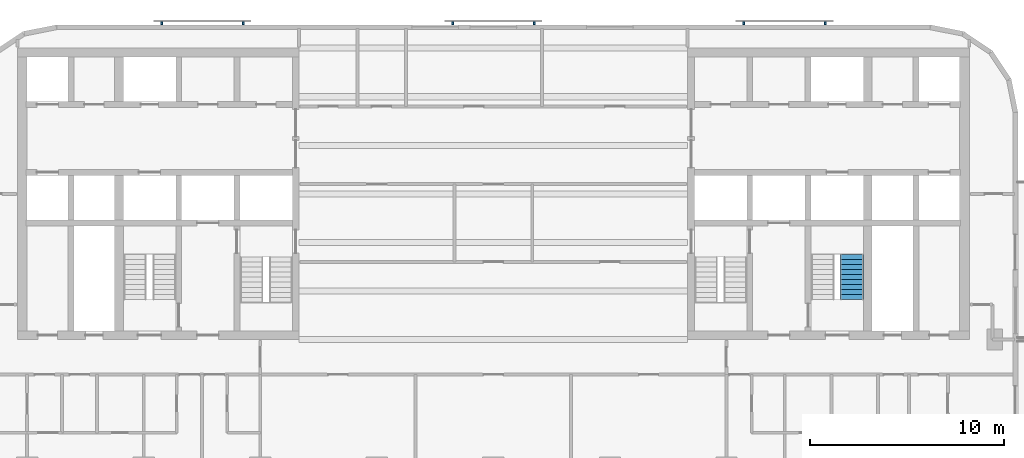
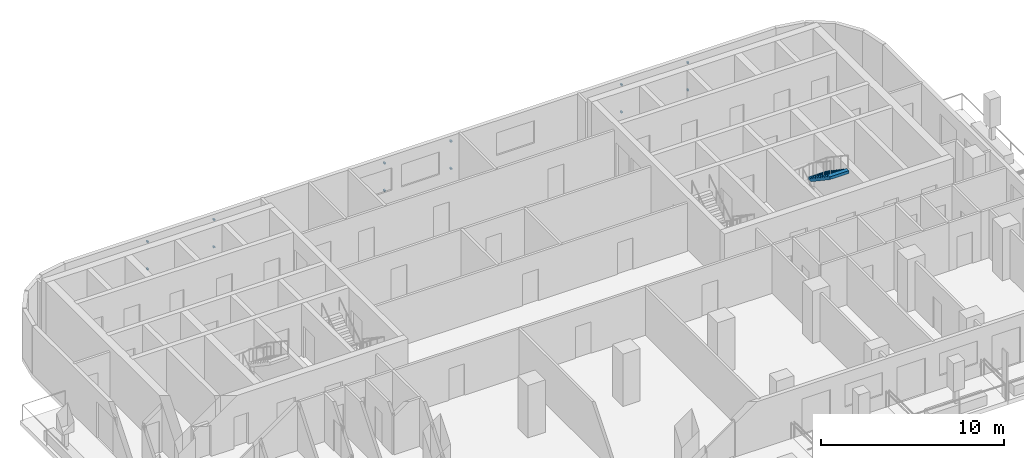
# One storey, part 8 of 11: 12 discrete accessories, 1 stair flight, 1 element without a shape of its own.
"""IFC4 building model written with IfcOpenShell, lengths in metres."""

from ifc_helpers import new_model, si_unit, direction, frame, origin, origin_2d, place, context, subcontext, project, spatial, polyline, rectangle, outline, extrude, material, type_object, element, aggregate, save


model = new_model("IFC4")

# Units and contexts
model_context = context("Model", 3, precision=1e-05, world=origin(), true_north=direction((0.0, 1.0)))
body_context = subcontext(model_context, "Body", "Model", "MODEL_VIEW")
ifc_project = project(units=[si_unit("LENGTHUNIT", "METRE"), si_unit("AREAUNIT", "SQUARE_METRE"), si_unit("VOLUMEUNIT", "CUBIC_METRE"), si_unit("PLANEANGLEUNIT", "RADIAN"), si_unit("MASSUNIT", "GRAM", prefix="KILO")], contexts=[model_context])

# Site, building, storey
site_placement = place(None, origin())
site = spatial("IfcSite", under=ifc_project, at=site_placement, CompositionType="ELEMENT")
building_placement = place(site_placement, origin())
building = spatial("IfcBuilding", under=site, at=building_placement, Name="Torana Hotel and Residences", CompositionType="ELEMENT")
storey_placement = place(building_placement, frame((0.0, 0.0, 190.60009765625)))
storey = spatial("IfcBuildingStorey", under=building, at=storey_placement, Name="L49", CompositionType="ELEMENT", Elevation=190.60009765625)

# Stair, stair flight
ifc_material_1 = material(Name="Concrete C40/50 precast", Category="concrete")
stair_type = type_object("IfcStairType", Name="STAIR ST4 HALF TURN 1200", PredefinedType="HALF_TURN_STAIR", material=ifc_material_1)
stair_placement = place(storey_placement, origin())
stair = element("IfcStair", 1, at=stair_placement, inside=storey, type_object=stair_type, Name="Stair ST4 L49", PredefinedType="HALF_TURN_STAIR")
ifc_material_2 = material(Name="Concrete C40/50 precast", Category="concrete")
stair_flight_type = type_object("IfcStairFlightType", Name="STAIR FLIGHT 1200 PRECAST", PredefinedType="STRAIGHT", material=ifc_material_2)
stair_flight_placement = place(storey_placement, frame((18.449951171875, -10.610107421875, 1.75), z_axis=(0.0, 0.0, 1.0), x_axis=(0.0, -1.0, 0.0)))
stair_flight = element("IfcStairFlight", 2, at=stair_flight_placement, type_object=stair_flight_type, Name="ST4 flight 2", NumberOfRisers=10, NumberOfTreads=9, PredefinedType="STRAIGHT", RiserHeight=0.175, TreadLength=0.26, context=body_context, shape_type="SweptSolid", body=[
    extrude(outline(polyline([(0.0, 0.0), (0.0, 0.175048828125), (0.260009765625, 0.175048828125), (0.260009765625, 0.35009765625), (0.52001953125, 0.35009765625), (0.52001953125, 0.52490234375), (0.780029296875, 0.52490234375), (0.780029296875, 0.699951171875), (1.0400390625, 0.699951171875), (1.0400390625, 0.875), (1.300048828125, 0.875), (1.300048828125, 1.050048828125), (1.56005859375, 1.050048828125), (1.56005859375, 1.22509765625), (1.820068359375, 1.22509765625), (1.820068359375, 1.39990234375), (2.080078125, 1.39990234375), (2.080078125, 1.574951171875), (2.340087890625, 1.574951171875), (2.340087890625, 1.75), (2.340087890625, 1.394287109375), (0.2685546875, 0.0), (0.0, 0.0)])), frame((0.0, 0.60009765625, 0.0), z_axis=(0.0, -1.0, 0.0), x_axis=(1.0, 0.0, 0.0)), (0.0, 0.0, 1.0), 1.199951171875),
])
aggregate(stair, [stair_flight])

# Discrete accessories
ifc_material_3 = material(Name="Steel S355", Category="steel")
discrete_accessory_type = type_object("IfcDiscreteAccessoryType", Name="SCREEN BRACKET 100", PredefinedType="BRACKET", material=ifc_material_3)
for number, where, z_axis, x_axis, name in (
    (3, (17.08349609375, 1.27490234375, 0.749755859375), (0.0, 0.0, 1.0), (-1.0, 0.0, 0.0), "Screen bracket L49"),
    (4, (17.08349609375, 1.27490234375, 2.56982421875), (0.0, 0.0, 1.0), (-1.0, 0.0, 0.0), "Screen bracket L49"),
    (5, (12.883544921875, 1.27490234375, 0.749755859375), (0.0, 0.0, 1.0), (-1.0, 0.0, 0.0), "Screen bracket L49"),
    (6, (12.883544921875, 1.27490234375, 2.56982421875), (0.0, 0.0, 1.0), (-1.0, 0.0, 0.0), "Screen bracket L49"),
    (7, (2.10009765625, 1.27490234375, 0.749755859375), (0.0, 0.0, 1.0), (-1.0, 0.0, 0.0), "Screen bracket L49"),
    (8, (2.10009765625, 1.27490234375, 2.56982421875), (0.0, 0.0, 1.0), (-1.0, 0.0, 0.0), "Screen bracket L49"),
    (9, (-2.10009765625, 1.27490234375, 0.749755859375), (0.0, 0.0, 1.0), (-1.0, 0.0, 0.0), "Screen bracket L49"),
    (10, (-2.10009765625, 1.27490234375, 2.56982421875), (0.0, 0.0, 1.0), (-1.0, 0.0, 0.0), "Screen bracket L49"),
    (11, (-12.883544921875, 1.27490234375, 0.749755859375), (0.0, 0.0, 1.0), (-1.0, 0.0, 0.0), "Screen bracket L49"),
    (12, (-12.883544921875, 1.27490234375, 2.56982421875), (0.0, 0.0, 1.0), (-1.0, 0.0, 0.0), "Screen bracket L49"),
    (13, (-17.08349609375, 1.27490234375, 0.749755859375), (0.0, 0.0, 1.0), (-1.0, 0.0, 0.0), "Screen bracket L49"),
    (14, (-17.08349609375, 1.27490234375, 2.56982421875), (0.0, 0.0, 1.0), (-1.0, 0.0, 0.0), "Screen bracket L49"),
):
    element("IfcDiscreteAccessory", number, at=place(storey_placement, frame(where, z_axis=z_axis, x_axis=x_axis)), inside=storey, type_object=discrete_accessory_type, Name=name, PredefinedType="BRACKET", context=body_context, shape_type="SweptSolid", body=[
        extrude(rectangle(XDim=0.10009765625, YDim=0.14990234375, at=origin_2d()), origin(), (0.0, 0.0, 1.0), 0.10009765625),
    ])

save(model, "model.ifc")
